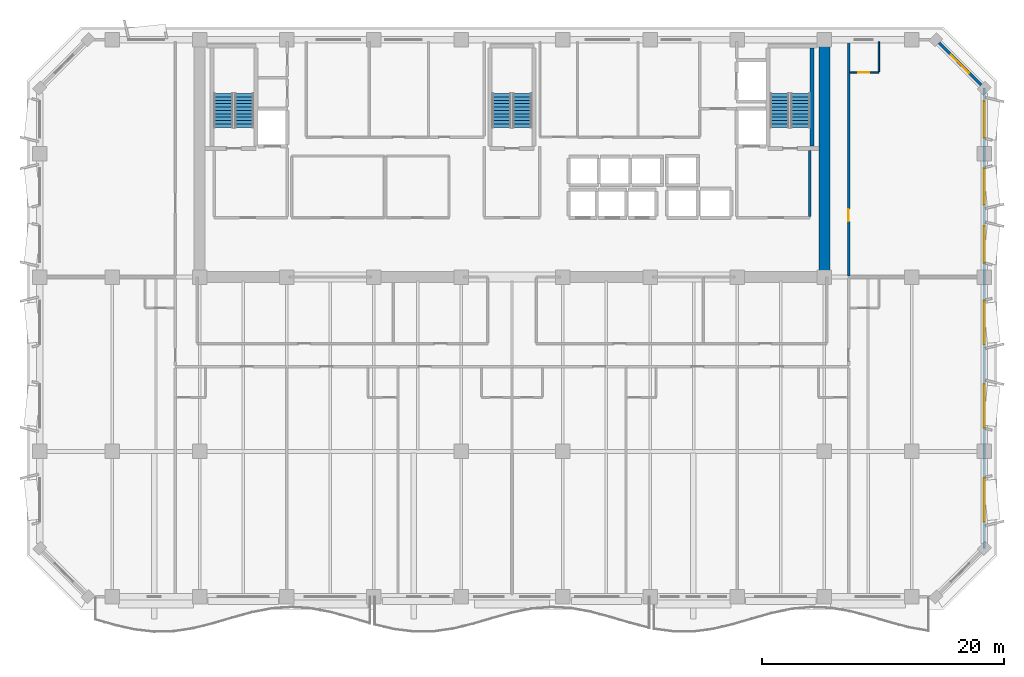
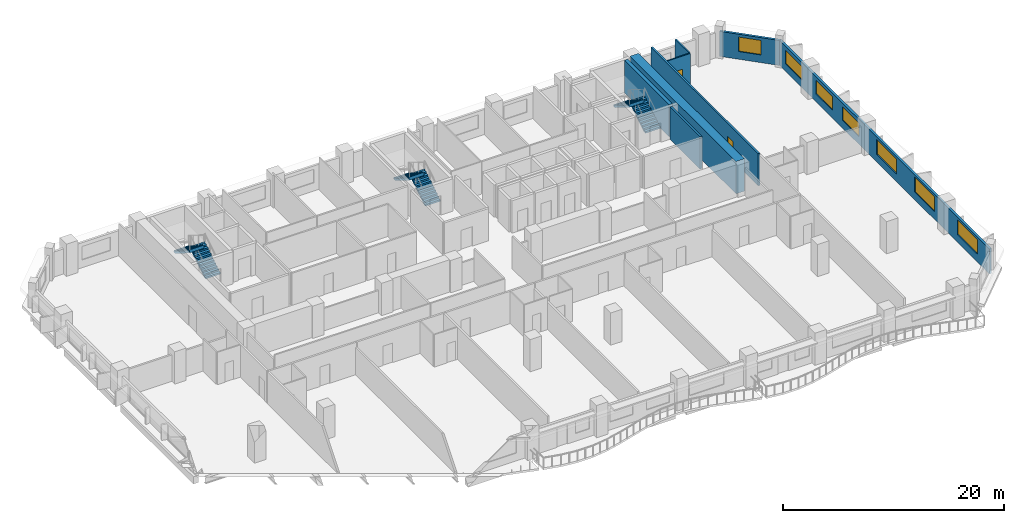
# One storey, part 9 of 14: 8 walls, 7 windows, 6 stair flights, 2 doors, 9 openings, 3 elements without a shape of their own.
"""IFC4 building model written with IfcOpenShell, lengths in metres."""

from ifc_helpers import new_model, si_unit, direction, frame, frame_2d, origin, place, context, subcontext, project, spatial, polyline, rectangle, outline, extrude, material, layer, layer_set, type_object, element, fill, aggregate, save


model = new_model("IFC4")

# Units and contexts
model_context = context("Model", 3, precision=1e-05, world=origin(), true_north=direction((0.0, 1.0)))
body_context = subcontext(model_context, "Body", "Model", "MODEL_VIEW")
ifc_project = project(units=[si_unit("LENGTHUNIT", "METRE"), si_unit("AREAUNIT", "SQUARE_METRE"), si_unit("VOLUMEUNIT", "CUBIC_METRE"), si_unit("PLANEANGLEUNIT", "RADIAN"), si_unit("MASSUNIT", "GRAM", prefix="KILO")], contexts=[model_context])

# Site, building, storey
site_placement = place(None, origin())
site = spatial("IfcSite", under=ifc_project, at=site_placement, CompositionType="ELEMENT")
building_placement = place(site_placement, origin())
building = spatial("IfcBuilding", under=site, at=building_placement, Name="Kaelvorn Grand Hotel", CompositionType="ELEMENT")
storey_placement = place(building_placement, frame((0.0, 0.0, 197.75)))
storey = spatial("IfcBuildingStorey", under=building, at=storey_placement, Name="L48", CompositionType="ELEMENT", Elevation=197.75)

# Wall
ifc_material_1 = material(Name="Concrete C60/75", Category="concrete")
ifc_layer_1 = layer(ifc_material_1, 0.89990234375)
ifc_layer_set_1 = layer_set([ifc_layer_1], Name="Concrete C60/75")
wall_type_1 = type_object("IfcWallType", Name="WL-CORE-900-C60", PredefinedType="SHEAR", material=ifc_layer_set_1)
wall_1_placement = place(storey_placement, frame((67.800048828125, 29.39990234375, 0.0), z_axis=(0.0, 0.0, 1.0), x_axis=(0.0, 1.0, 0.0)))
element("IfcWall", 1, at=wall_1_placement, inside=storey, type_object=wall_type_1, Name="L48 Rear-Core East Shear Wall", PredefinedType="SHEAR", context=body_context, shape_type="SweptSolid", body=[
    extrude(rectangle(XDim=19.2001953125, YDim=0.89990234375, at=frame_2d((9.60009765625, 0.0))), origin(), (0.0, 0.0, 1.0), 3.56005859375),
])

# Wall, openings, windows
ifc_material_2 = material(Name="Concrete C40/50", Category="concrete")
ifc_layer_2 = layer(ifc_material_2, 0.239990234375)
ifc_layer_set_2 = layer_set([ifc_layer_2], Name="Concrete C40/50")
wall_type_2 = type_object("IfcWallType", Name="WL-EXT-240-C40", PredefinedType="SOLIDWALL", material=ifc_layer_set_2)
wall_2_placement = place(storey_placement, frame((81.0, 7.0, 0.0), z_axis=(0.0, 0.0, 1.0), x_axis=(0.0, 1.0, 0.0)))
wall_2 = element("IfcWall", 2, at=wall_2_placement, inside=storey, type_object=wall_type_2, Name="L48 Exterior Architectural Concrete Wall 03", PredefinedType="SOLIDWALL", context=body_context, shape_type="SweptSolid", body=[
    extrude(rectangle(XDim=38.0, YDim=0.239990234375, at=frame_2d((19.0, 0.0))), origin(), (0.0, 0.0, 1.0), 2.760009765625),
])
opening_1_placement = place(wall_2_placement, frame((2.199951171875, 0.0, 0.85009765625)))
opening_1 = element("IfcOpeningElement", 3, at=opening_1_placement, cuts=wall_2, Name="Opening W3", PredefinedType="OPENING", context=body_context, shape_type="SweptSolid", body=[
    extrude(rectangle(XDim=3.60009765625, YDim=1.64990234375, at=frame_2d((1.800048828125, 0.824951171875))), frame((0.0, 0.1298828125, 0.0), z_axis=(0.0, -1.0, 0.0), x_axis=(1.0, 0.0, 0.0)), (0.0, 0.0, 1.0), 0.260009765625),
])
opening_2_placement = place(wall_2_placement, frame((9.965087890625, 0.0, 0.85009765625)))
opening_2 = element("IfcOpeningElement", 4, at=opening_2_placement, cuts=wall_2, Name="Opening W3", PredefinedType="OPENING", context=body_context, shape_type="SweptSolid", body=[
    extrude(rectangle(XDim=3.60009765625, YDim=1.64990234375, at=frame_2d((1.800048828125, 0.824951171875))), frame((0.0, 0.1298828125, 0.0), z_axis=(0.0, -1.0, 0.0), x_axis=(1.0, 0.0, 0.0)), (0.0, 0.0, 1.0), 0.260009765625),
])
opening_3_placement = place(wall_2_placement, frame((16.8349609375, 0.0, 0.85009765625)))
opening_3 = element("IfcOpeningElement", 5, at=opening_3_placement, cuts=wall_2, Name="Opening W3", PredefinedType="OPENING", context=body_context, shape_type="SweptSolid", body=[
    extrude(rectangle(XDim=3.60009765625, YDim=1.64990234375, at=frame_2d((1.800048828125, 0.824951171875))), frame((0.0, 0.1298828125, 0.0), z_axis=(0.0, -1.0, 0.0), x_axis=(1.0, 0.0, 0.0)), (0.0, 0.0, 1.0), 0.260009765625),
])
opening_4_placement = place(wall_2_placement, frame((23.614990234375, 0.0, 0.85009765625)))
opening_4 = element("IfcOpeningElement", 6, at=opening_4_placement, cuts=wall_2, Name="Opening W5", PredefinedType="OPENING", context=body_context, shape_type="SweptSolid", body=[
    extrude(rectangle(XDim=3.0, YDim=1.5, at=frame_2d((1.5, 0.75))), frame((0.0, 0.1298828125, 0.0), z_axis=(0.0, -1.0, 0.0), x_axis=(1.0, 0.0, 0.0)), (0.0, 0.0, 1.0), 0.260009765625),
])
opening_5_placement = place(wall_2_placement, frame((28.385009765625, 0.0, 0.85009765625)))
opening_5 = element("IfcOpeningElement", 7, at=opening_5_placement, cuts=wall_2, Name="Opening W5", PredefinedType="OPENING", context=body_context, shape_type="SweptSolid", body=[
    extrude(rectangle(XDim=3.0, YDim=1.5, at=frame_2d((1.5, 0.75))), frame((0.0, 0.1298828125, 0.0), z_axis=(0.0, -1.0, 0.0), x_axis=(1.0, 0.0, 0.0)), (0.0, 0.0, 1.0), 0.260009765625),
])
opening_6_placement = place(wall_2_placement, frame((33.9150390625, 0.0, 0.85009765625)))
opening_6 = element("IfcOpeningElement", 8, at=opening_6_placement, cuts=wall_2, Name="Opening W5", PredefinedType="OPENING", context=body_context, shape_type="SweptSolid", body=[
    extrude(rectangle(XDim=3.0, YDim=1.5, at=frame_2d((1.5, 0.75))), frame((0.0, 0.1298828125, 0.0), z_axis=(0.0, -1.0, 0.0), x_axis=(1.0, 0.0, 0.0)), (0.0, 0.0, 1.0), 0.260009765625),
])
ifc_material_3 = material(Name="Laminated Low-E Glass", Category="glass")
window_type_1 = type_object("IfcWindowType", Name="WIN-NTH-3000x1500", PartitioningType="SINGLE_PANEL", PredefinedType="WINDOW", material=ifc_material_3)
window_1_placement = place(opening_4_placement, origin())
window_1 = element("IfcWindow", 9, at=window_1_placement, inside=storey, type_object=window_type_1, Name="L48 E Wing Tilted-Frame Ribbon Window E04", OverallHeight=1.5, OverallWidth=3.0, PartitioningType="SINGLE_PANEL", PredefinedType="WINDOW", context=body_context, shape_type="SweptSolid", body=[
    extrude(rectangle(XDim=3.0, YDim=1.5, at=frame_2d((1.5, 0.75))), frame((0.0, 0.030029296875, 0.0), z_axis=(0.0, -1.0, 0.0), x_axis=(1.0, 0.0, 0.0)), (0.0, 0.0, 1.0), 0.06005859375),
])
fill(opening_4, window_1)
window_2_placement = place(opening_5_placement, origin())
window_2 = element("IfcWindow", 10, at=window_2_placement, inside=storey, type_object=window_type_1, Name="L48 E Wing Tilted-Frame Ribbon Window E05", OverallHeight=1.5, OverallWidth=3.0, PartitioningType="SINGLE_PANEL", PredefinedType="WINDOW", context=body_context, shape_type="SweptSolid", body=[
    extrude(rectangle(XDim=3.0, YDim=1.5, at=frame_2d((1.5, 0.75))), frame((0.0, 0.030029296875, 0.0), z_axis=(0.0, -1.0, 0.0), x_axis=(1.0, 0.0, 0.0)), (0.0, 0.0, 1.0), 0.06005859375),
])
fill(opening_5, window_2)
window_3_placement = place(opening_6_placement, origin())
window_3 = element("IfcWindow", 11, at=window_3_placement, inside=storey, type_object=window_type_1, Name="L48 E Wing Tilted-Frame Ribbon Window E06", OverallHeight=1.5, OverallWidth=3.0, PartitioningType="SINGLE_PANEL", PredefinedType="WINDOW", context=body_context, shape_type="SweptSolid", body=[
    extrude(rectangle(XDim=3.0, YDim=1.5, at=frame_2d((1.5, 0.75))), frame((0.0, 0.030029296875, 0.0), z_axis=(0.0, -1.0, 0.0), x_axis=(1.0, 0.0, 0.0)), (0.0, 0.0, 1.0), 0.06005859375),
])
fill(opening_6, window_3)
window_type_2 = type_object("IfcWindowType", Name="WIN-RIB-3600x1750", PartitioningType="SINGLE_PANEL", PredefinedType="WINDOW", material=ifc_material_3)
window_4_placement = place(opening_1_placement, origin())
window_4 = element("IfcWindow", 12, at=window_4_placement, inside=storey, type_object=window_type_2, Name="L48 E Wing Tilted-Frame Ribbon Window E01", OverallHeight=1.64990234375, OverallWidth=3.60009765625, PartitioningType="SINGLE_PANEL", PredefinedType="WINDOW", context=body_context, shape_type="SweptSolid", body=[
    extrude(rectangle(XDim=3.60009765625, YDim=1.64990234375, at=frame_2d((1.800048828125, 0.824951171875))), frame((0.0, 0.030029296875, 0.0), z_axis=(0.0, -1.0, 0.0), x_axis=(1.0, 0.0, 0.0)), (0.0, 0.0, 1.0), 0.06005859375),
])
fill(opening_1, window_4)
window_5_placement = place(opening_2_placement, origin())
window_5 = element("IfcWindow", 13, at=window_5_placement, inside=storey, type_object=window_type_2, Name="L48 E Wing Tilted-Frame Ribbon Window E02", OverallHeight=1.64990234375, OverallWidth=3.60009765625, PartitioningType="SINGLE_PANEL", PredefinedType="WINDOW", context=body_context, shape_type="SweptSolid", body=[
    extrude(rectangle(XDim=3.60009765625, YDim=1.64990234375, at=frame_2d((1.800048828125, 0.824951171875))), frame((0.0, 0.030029296875, 0.0), z_axis=(0.0, -1.0, 0.0), x_axis=(1.0, 0.0, 0.0)), (0.0, 0.0, 1.0), 0.06005859375),
])
fill(opening_2, window_5)
window_6_placement = place(opening_3_placement, origin())
window_6 = element("IfcWindow", 14, at=window_6_placement, inside=storey, type_object=window_type_2, Name="L48 E Wing Tilted-Frame Ribbon Window E03", OverallHeight=1.64990234375, OverallWidth=3.60009765625, PartitioningType="SINGLE_PANEL", PredefinedType="WINDOW", context=body_context, shape_type="SweptSolid", body=[
    extrude(rectangle(XDim=3.60009765625, YDim=1.64990234375, at=frame_2d((1.800048828125, 0.824951171875))), frame((0.0, 0.030029296875, 0.0), z_axis=(0.0, -1.0, 0.0), x_axis=(1.0, 0.0, 0.0)), (0.0, 0.0, 1.0), 0.06005859375),
])
fill(opening_3, window_6)

# Wall, opening, window
wall_3_placement = place(storey_placement, frame((81.0, 45.0, 0.0), z_axis=(0.0, 0.0, 1.0), x_axis=(-0.707106781187, 0.707106781187, 0.0)))
wall_3 = element("IfcWall", 15, at=wall_3_placement, inside=storey, type_object=wall_type_2, Name="L48 Exterior Architectural Concrete Wall 04", PredefinedType="SOLIDWALL", context=body_context, shape_type="SweptSolid", body=[
    extrude(rectangle(XDim=5.65673828125, YDim=0.239990234375, at=frame_2d((2.828369140625, 0.0))), origin(), (0.0, 0.0, 1.0), 2.760009765625),
])
opening_7_placement = place(wall_3_placement, frame((1.7783203125, 0.0, 0.85009765625)))
opening_7 = element("IfcOpeningElement", 16, at=opening_7_placement, cuts=wall_3, Name="Opening W7", PredefinedType="OPENING", context=body_context, shape_type="SweptSolid", body=[
    extrude(rectangle(XDim=2.10009765625, YDim=1.60009765625, at=frame_2d((1.050048828125, 0.800048828125))), frame((0.0, 0.1298828125, 0.0), z_axis=(0.0, -1.0, 0.0), x_axis=(1.0, 0.0, 0.0)), (0.0, 0.0, 1.0), 0.260009765625),
])
window_type_3 = type_object("IfcWindowType", Name="WIN-CHM-2100x1600", PartitioningType="SINGLE_PANEL", PredefinedType="WINDOW", material=ifc_material_3)
window_7_placement = place(opening_7_placement, origin())
window_7 = element("IfcWindow", 17, at=window_7_placement, inside=storey, type_object=window_type_3, Name="L48 Chamfered 45-Degree Corner Window NE", OverallHeight=1.60009765625, OverallWidth=2.10009765625, PartitioningType="SINGLE_PANEL", PredefinedType="WINDOW", context=body_context, shape_type="SweptSolid", body=[
    extrude(rectangle(XDim=2.10009765625, YDim=1.60009765625, at=frame_2d((1.050048828125, 0.800048828125))), frame((0.0, 0.030029296875, 0.0), z_axis=(0.0, -1.0, 0.0), x_axis=(1.0, 0.0, 0.0)), (0.0, 0.0, 1.0), 0.06005859375),
])
fill(opening_7, window_7)

# Wall, opening, door
ifc_material_4 = material(Name="Moisture-Resistant Tile & Stud Board")
ifc_layer_3 = layer(ifc_material_4, 0.125)
ifc_layer_set_3 = layer_set([ifc_layer_3], Name="Moisture-Resistant Tile & Stud Board")
wall_type_3 = type_object("IfcWallType", Name="WL-PART-125-WET", PredefinedType="PARTITIONING", material=ifc_layer_set_3)
wall_4_placement = place(storey_placement, frame((69.89501953125, 46.300048828125, 0.0), z_axis=(0.0, 0.0, 1.0), x_axis=(1.0, 0.0, 0.0)))
wall_4 = element("IfcWall", 18, at=wall_4_placement, inside=storey, type_object=wall_type_3, Name="L48 En-suite Bathroom L48-09 S Partition", PredefinedType="PARTITIONING", context=body_context, shape_type="SweptSolid", body=[
    extrude(rectangle(XDim=2.405029296875, YDim=0.125, at=frame_2d((1.20263671875, 0.0))), origin(), (0.0, 0.0, 1.0), 3.56005859375),
])
opening_8_placement = place(wall_4_placement, frame((0.705078125, 0.0, 0.0)))
opening_8 = element("IfcOpeningElement", 19, at=opening_8_placement, cuts=wall_4, Name="Opening DI4", PredefinedType="OPENING", context=body_context, shape_type="SweptSolid", body=[
    extrude(rectangle(XDim=0.89990234375, YDim=2.10009765625, at=frame_2d((0.449951171875, 1.050048828125))), frame((0.0, 0.072509765625, 0.0), z_axis=(0.0, -1.0, 0.0), x_axis=(1.0, 0.0, 0.0)), (0.0, 0.0, 1.0), 0.14501953125),
])
ifc_material_5 = material(Name="Timber Veneer Leaf", Category="wood")
door_type_1 = type_object("IfcDoorType", Name="DR-INT-BATH-900x2100", OperationType="NOTDEFINED", PredefinedType="DOOR", material=ifc_material_5)
door_1_placement = place(opening_8_placement, origin())
door_1 = element("IfcDoor", 20, at=door_1_placement, inside=storey, type_object=door_type_1, Name="L48 En-suite Bathroom L48-09 Door", OperationType="SINGLE_SWING_RIGHT", OverallHeight=2.10009765625, OverallWidth=0.89990234375, PredefinedType="DOOR", context=body_context, shape_type="SweptSolid", body=[
    extrude(rectangle(XDim=0.89990234375, YDim=2.10009765625, at=frame_2d((0.449951171875, 1.050048828125))), frame((0.0, 0.02490234375, 0.0), z_axis=(0.0, -1.0, 0.0), x_axis=(1.0, 0.0, 0.0)), (0.0, 0.0, 1.0), 0.050048828125),
])
fill(opening_8, door_1)

# Wall
wall_5_placement = place(storey_placement, frame((72.300048828125, 46.367431640625, 0.0), z_axis=(0.0, 0.0, 1.0), x_axis=(0.0, 1.0, 0.0)))
element("IfcWall", 21, at=wall_5_placement, inside=storey, type_object=wall_type_3, Name="L48 En-suite Bathroom L48-09 E Partition", PredefinedType="PARTITIONING", context=body_context, shape_type="SweptSolid", body=[
    extrude(rectangle(XDim=2.482666015625, YDim=0.125, at=frame_2d((1.2412109375, 0.0))), origin(), (0.0, 0.0, 1.0), 3.56005859375),
])

# Wall, opening, door
ifc_material_6 = material(Name="Acoustic Gypsum & Stud Partition")
ifc_layer_4 = layer(ifc_material_6, 0.179931640625)
ifc_layer_set_4 = layer_set([ifc_layer_4], Name="Acoustic Gypsum & Stud Partition")
wall_type_4 = type_object("IfcWallType", Name="WL-PART-180-EI60", PredefinedType="PARTITIONING", material=ifc_layer_set_4)
wall_6_placement = place(storey_placement, frame((69.800048828125, 29.4951171875, 0.0), z_axis=(0.0, 0.0, 1.0), x_axis=(0.0, 1.0, 0.0)))
wall_6 = element("IfcWall", 22, at=wall_6_placement, inside=storey, type_object=wall_type_4, Name="L48 North-East Corner Suite L48-09 W Partition", PredefinedType="PARTITIONING", context=body_context, shape_type="SweptSolid", body=[
    extrude(rectangle(XDim=19.35498046875, YDim=0.179931640625, at=frame_2d((9.677490234375, 0.0))), origin(), (0.0, 0.0, 1.0), 3.56005859375),
])
opening_9_placement = place(wall_6_placement, frame((4.5048828125, 0.0, 0.0)))
opening_9 = element("IfcOpeningElement", 23, at=opening_9_placement, cuts=wall_6, Name="Opening DI3", PredefinedType="OPENING", context=body_context, shape_type="SweptSolid", body=[
    extrude(rectangle(XDim=1.0, YDim=2.14990234375, at=frame_2d((0.5, 1.074951171875))), frame((0.0, 0.10009765625, 0.0), z_axis=(0.0, -1.0, 0.0), x_axis=(1.0, 0.0, 0.0)), (0.0, 0.0, 1.0), 0.199951171875),
])
ifc_material_7 = material(Name="Timber Veneer Fire Leaf", Category="wood")
door_type_2 = type_object("IfcDoorType", Name="DR-INT-GUEST-1000x2150", OperationType="NOTDEFINED", PredefinedType="DOOR", material=ifc_material_7)
door_2_placement = place(opening_9_placement, origin())
door_2 = element("IfcDoor", 24, at=door_2_placement, inside=storey, type_object=door_type_2, Name="L48 North-East Corner Suite L48-09 Door", OperationType="SINGLE_SWING_LEFT", OverallHeight=2.14990234375, OverallWidth=1.0, PredefinedType="DOOR", context=body_context, shape_type="SweptSolid", body=[
    extrude(rectangle(XDim=1.0, YDim=2.14990234375, at=frame_2d((0.5, 1.074951171875))), frame((0.0, 0.02490234375, 0.0), z_axis=(0.0, -1.0, 0.0), x_axis=(1.0, 0.0, 0.0)), (0.0, 0.0, 1.0), 0.050048828125),
])
fill(opening_9, door_2)

# Walls
ifc_layer_5 = layer(ifc_material_2, 0.219970703125)
ifc_layer_set_5 = layer_set([ifc_layer_5], Name="Concrete C40/50")
wall_type_5 = type_object("IfcWallType", Name="WL-PART-220-EI120", PredefinedType="PARTITIONING", material=ifc_layer_set_5)
wall_7_placement = place(storey_placement, frame((66.60009765625, 34.4150390625, 0.0), z_axis=(0.0, 0.0, 1.0), x_axis=(0.0, 1.0, 0.0)))
element("IfcWall", 25, at=wall_7_placement, inside=storey, type_object=wall_type_5, Name="L48 Firefighting Lift Lobby 2 E Partition", PredefinedType="PARTITIONING", context=body_context, shape_type="SweptSolid", body=[
    extrude(rectangle(XDim=5.429931640625, YDim=0.219970703125, at=frame_2d((2.71484375, 0.0))), origin(), (0.0, 0.0, 1.0), 3.56005859375),
])
ifc_layer_6 = layer(ifc_material_1, 0.35009765625)
ifc_layer_set_6 = layer_set([ifc_layer_6], Name="Concrete C60/75")
wall_type_6 = type_object("IfcWallType", Name="WL-SHAFT-350-C60", PredefinedType="SHEAR", material=ifc_layer_set_6)
wall_8_placement = place(storey_placement, frame((66.77490234375, 40.205078125, 0.0), z_axis=(0.0, 0.0, 1.0), x_axis=(0.0, 1.0, 0.0)))
element("IfcWall", 26, at=wall_8_placement, inside=storey, type_object=wall_type_6, Name="L48 ST3 Stair Shaft East Wall", PredefinedType="SHEAR", context=body_context, shape_type="SweptSolid", body=[
    extrude(rectangle(XDim=8.08984375, YDim=0.35009765625, at=frame_2d((4.044921875, 0.0))), origin(), (0.0, 0.0, 1.0), 3.56005859375),
])

# Stair, stair flights
stair_type = type_object("IfcStairType", Name="STR-DOG-1560-R08", PredefinedType="HALF_TURN_STAIR", material=ifc_material_2)
stair_1_placement = place(storey_placement, origin())
stair_1 = element("IfcStair", 27, at=stair_1_placement, inside=storey, type_object=stair_type, Name="L48 West Core Exit Stair ST1", PredefinedType="HALF_TURN_STAIR")
stair_flight_type = type_object("IfcStairFlightType", Name="FLG-DOG-1560-R08", PredefinedType="STRAIGHT", material=ifc_material_2)
stair_flight_1_placement = place(storey_placement, frame((19.89990234375, 41.760009765625, 0.0), z_axis=(0.0, 0.0, 1.0), x_axis=(0.0, 1.0, 0.0)))
stair_flight_1 = element("IfcStairFlight", 28, at=stair_flight_1_placement, type_object=stair_flight_type, Name="ST1 flight 1", NumberOfRisers=11, NumberOfTreads=10, PredefinedType="STRAIGHT", RiserHeight=0.172727273, TreadLength=0.28, context=body_context, shape_type="SweptSolid", body=[
    extrude(outline(polyline([(-0.0048828125, 0.0), (-0.0048828125, 0.0400390625), (0.0, 0.172607421875), (0.280029296875, 0.172607421875), (0.280029296875, 0.345458984375), (0.56005859375, 0.345458984375), (0.56005859375, 0.51806640625), (0.840087890625, 0.51806640625), (0.840087890625, 0.69091796875), (1.1201171875, 0.69091796875), (1.1201171875, 0.863525390625), (1.39990234375, 0.863525390625), (1.39990234375, 1.036376953125), (1.679931640625, 1.036376953125), (1.679931640625, 1.208984375), (1.9599609375, 1.208984375), (1.9599609375, 1.3818359375), (2.239990234375, 1.3818359375), (2.239990234375, 1.554443359375), (2.52001953125, 1.554443359375), (2.52001953125, 1.727294921875), (2.800048828125, 1.727294921875), (2.800048828125, 1.89990234375), (2.804931640625, 1.89990234375), (2.804931640625, 1.551025390625), (0.285400390625, 0.0), (-0.0048828125, 0.0)])), frame((0.0, 0.780029296875, 0.0), z_axis=(0.0, -1.0, 0.0), x_axis=(1.0, 0.0, 0.0)), (0.0, 0.0, 1.0), 1.56005859375),
])
stair_flight_2_placement = place(storey_placement, frame((18.179931640625, 44.56005859375, 1.89990234375), z_axis=(0.0, 0.0, 1.0), x_axis=(0.0, -1.0, 0.0)))
stair_flight_2 = element("IfcStairFlight", 29, at=stair_flight_2_placement, type_object=stair_flight_type, Name="ST1 flight 2", NumberOfRisers=11, NumberOfTreads=10, PredefinedType="STRAIGHT", RiserHeight=0.172727273, TreadLength=0.28, context=body_context, shape_type="SweptSolid", body=[
    extrude(outline(polyline([(-0.0048828125, 0.0), (-0.0048828125, 0.0400390625), (0.0, 0.172607421875), (0.280029296875, 0.172607421875), (0.280029296875, 0.345458984375), (0.56005859375, 0.345458984375), (0.56005859375, 0.51806640625), (0.840087890625, 0.51806640625), (0.840087890625, 0.69091796875), (1.1201171875, 0.69091796875), (1.1201171875, 0.863525390625), (1.39990234375, 0.863525390625), (1.39990234375, 1.036376953125), (1.679931640625, 1.036376953125), (1.679931640625, 1.208984375), (1.9599609375, 1.208984375), (1.9599609375, 1.3818359375), (2.239990234375, 1.3818359375), (2.239990234375, 1.554443359375), (2.52001953125, 1.554443359375), (2.52001953125, 1.727294921875), (2.800048828125, 1.727294921875), (2.800048828125, 1.89990234375), (2.804931640625, 1.89990234375), (2.804931640625, 1.551025390625), (0.285400390625, 0.0), (-0.0048828125, 0.0)])), frame((0.0, 0.780029296875, 0.0), z_axis=(0.0, -1.0, 0.0), x_axis=(1.0, 0.0, 0.0)), (0.0, 0.0, 1.0), 1.56005859375),
])
aggregate(stair_1, [stair_flight_1, stair_flight_2])

stair_2_placement = place(storey_placement, origin())
stair_2 = element("IfcStair", 30, at=stair_2_placement, inside=storey, type_object=stair_type, Name="L48 Central Core Exit Stair ST2", PredefinedType="HALF_TURN_STAIR")
stair_flight_3_placement = place(storey_placement, frame((42.860107421875, 41.760009765625, 0.0), z_axis=(0.0, 0.0, 1.0), x_axis=(0.0, 1.0, 0.0)))
stair_flight_3 = element("IfcStairFlight", 31, at=stair_flight_3_placement, type_object=stair_flight_type, Name="ST2 flight 1", NumberOfRisers=11, NumberOfTreads=10, PredefinedType="STRAIGHT", RiserHeight=0.172727273, TreadLength=0.28, context=body_context, shape_type="SweptSolid", body=[
    extrude(outline(polyline([(-0.0048828125, 0.0), (-0.0048828125, 0.0400390625), (0.0, 0.172607421875), (0.280029296875, 0.172607421875), (0.280029296875, 0.345458984375), (0.56005859375, 0.345458984375), (0.56005859375, 0.51806640625), (0.840087890625, 0.51806640625), (0.840087890625, 0.69091796875), (1.1201171875, 0.69091796875), (1.1201171875, 0.863525390625), (1.39990234375, 0.863525390625), (1.39990234375, 1.036376953125), (1.679931640625, 1.036376953125), (1.679931640625, 1.208984375), (1.9599609375, 1.208984375), (1.9599609375, 1.3818359375), (2.239990234375, 1.3818359375), (2.239990234375, 1.554443359375), (2.52001953125, 1.554443359375), (2.52001953125, 1.727294921875), (2.800048828125, 1.727294921875), (2.800048828125, 1.89990234375), (2.804931640625, 1.89990234375), (2.804931640625, 1.551025390625), (0.285400390625, 0.0), (-0.0048828125, 0.0)])), frame((0.0, 0.780029296875, 0.0), z_axis=(0.0, -1.0, 0.0), x_axis=(1.0, 0.0, 0.0)), (0.0, 0.0, 1.0), 1.56005859375),
])
stair_flight_4_placement = place(storey_placement, frame((41.139892578125, 44.56005859375, 1.89990234375), z_axis=(0.0, 0.0, 1.0), x_axis=(0.0, -1.0, 0.0)))
stair_flight_4 = element("IfcStairFlight", 32, at=stair_flight_4_placement, type_object=stair_flight_type, Name="ST2 flight 2", NumberOfRisers=11, NumberOfTreads=10, PredefinedType="STRAIGHT", RiserHeight=0.172727273, TreadLength=0.28, context=body_context, shape_type="SweptSolid", body=[
    extrude(outline(polyline([(-0.0048828125, 0.0), (-0.0048828125, 0.0400390625), (0.0, 0.172607421875), (0.280029296875, 0.172607421875), (0.280029296875, 0.345458984375), (0.56005859375, 0.345458984375), (0.56005859375, 0.51806640625), (0.840087890625, 0.51806640625), (0.840087890625, 0.69091796875), (1.1201171875, 0.69091796875), (1.1201171875, 0.863525390625), (1.39990234375, 0.863525390625), (1.39990234375, 1.036376953125), (1.679931640625, 1.036376953125), (1.679931640625, 1.208984375), (1.9599609375, 1.208984375), (1.9599609375, 1.3818359375), (2.239990234375, 1.3818359375), (2.239990234375, 1.554443359375), (2.52001953125, 1.554443359375), (2.52001953125, 1.727294921875), (2.800048828125, 1.727294921875), (2.800048828125, 1.89990234375), (2.804931640625, 1.89990234375), (2.804931640625, 1.551025390625), (0.285400390625, 0.0), (-0.0048828125, 0.0)])), frame((0.0, 0.780029296875, 0.0), z_axis=(0.0, -1.0, 0.0), x_axis=(1.0, 0.0, 0.0)), (0.0, 0.0, 1.0), 1.56005859375),
])
aggregate(stair_2, [stair_flight_3, stair_flight_4])

stair_3_placement = place(storey_placement, origin())
stair_3 = element("IfcStair", 33, at=stair_3_placement, inside=storey, type_object=stair_type, Name="L48 East Core Exit Stair ST3", PredefinedType="HALF_TURN_STAIR")
stair_flight_5_placement = place(storey_placement, frame((65.820068359375, 41.760009765625, 0.0), z_axis=(0.0, 0.0, 1.0), x_axis=(0.0, 1.0, 0.0)))
stair_flight_5 = element("IfcStairFlight", 34, at=stair_flight_5_placement, type_object=stair_flight_type, Name="ST3 flight 1", NumberOfRisers=11, NumberOfTreads=10, PredefinedType="STRAIGHT", RiserHeight=0.172727273, TreadLength=0.28, context=body_context, shape_type="SweptSolid", body=[
    extrude(outline(polyline([(-0.0048828125, 0.0), (-0.0048828125, 0.0400390625), (0.0, 0.172607421875), (0.280029296875, 0.172607421875), (0.280029296875, 0.345458984375), (0.56005859375, 0.345458984375), (0.56005859375, 0.51806640625), (0.840087890625, 0.51806640625), (0.840087890625, 0.69091796875), (1.1201171875, 0.69091796875), (1.1201171875, 0.863525390625), (1.39990234375, 0.863525390625), (1.39990234375, 1.036376953125), (1.679931640625, 1.036376953125), (1.679931640625, 1.208984375), (1.9599609375, 1.208984375), (1.9599609375, 1.3818359375), (2.239990234375, 1.3818359375), (2.239990234375, 1.554443359375), (2.52001953125, 1.554443359375), (2.52001953125, 1.727294921875), (2.800048828125, 1.727294921875), (2.800048828125, 1.89990234375), (2.804931640625, 1.89990234375), (2.804931640625, 1.551025390625), (0.285400390625, 0.0), (-0.0048828125, 0.0)])), frame((0.0, 0.780029296875, 0.0), z_axis=(0.0, -1.0, 0.0), x_axis=(1.0, 0.0, 0.0)), (0.0, 0.0, 1.0), 1.56005859375),
])
stair_flight_6_placement = place(storey_placement, frame((64.10009765625, 44.56005859375, 1.89990234375), z_axis=(0.0, 0.0, 1.0), x_axis=(0.0, -1.0, 0.0)))
stair_flight_6 = element("IfcStairFlight", 35, at=stair_flight_6_placement, type_object=stair_flight_type, Name="ST3 flight 2", NumberOfRisers=11, NumberOfTreads=10, PredefinedType="STRAIGHT", RiserHeight=0.172727273, TreadLength=0.28, context=body_context, shape_type="SweptSolid", body=[
    extrude(outline(polyline([(-0.0048828125, 0.0), (-0.0048828125, 0.0400390625), (0.0, 0.172607421875), (0.280029296875, 0.172607421875), (0.280029296875, 0.345458984375), (0.56005859375, 0.345458984375), (0.56005859375, 0.51806640625), (0.840087890625, 0.51806640625), (0.840087890625, 0.69091796875), (1.1201171875, 0.69091796875), (1.1201171875, 0.863525390625), (1.39990234375, 0.863525390625), (1.39990234375, 1.036376953125), (1.679931640625, 1.036376953125), (1.679931640625, 1.208984375), (1.9599609375, 1.208984375), (1.9599609375, 1.3818359375), (2.239990234375, 1.3818359375), (2.239990234375, 1.554443359375), (2.52001953125, 1.554443359375), (2.52001953125, 1.727294921875), (2.800048828125, 1.727294921875), (2.800048828125, 1.89990234375), (2.804931640625, 1.89990234375), (2.804931640625, 1.551025390625), (0.285400390625, 0.0), (-0.0048828125, 0.0)])), frame((0.0, 0.780029296875, 0.0), z_axis=(0.0, -1.0, 0.0), x_axis=(1.0, 0.0, 0.0)), (0.0, 0.0, 1.0), 1.56005859375),
])
aggregate(stair_3, [stair_flight_5, stair_flight_6])

save(model, "model.ifc")
